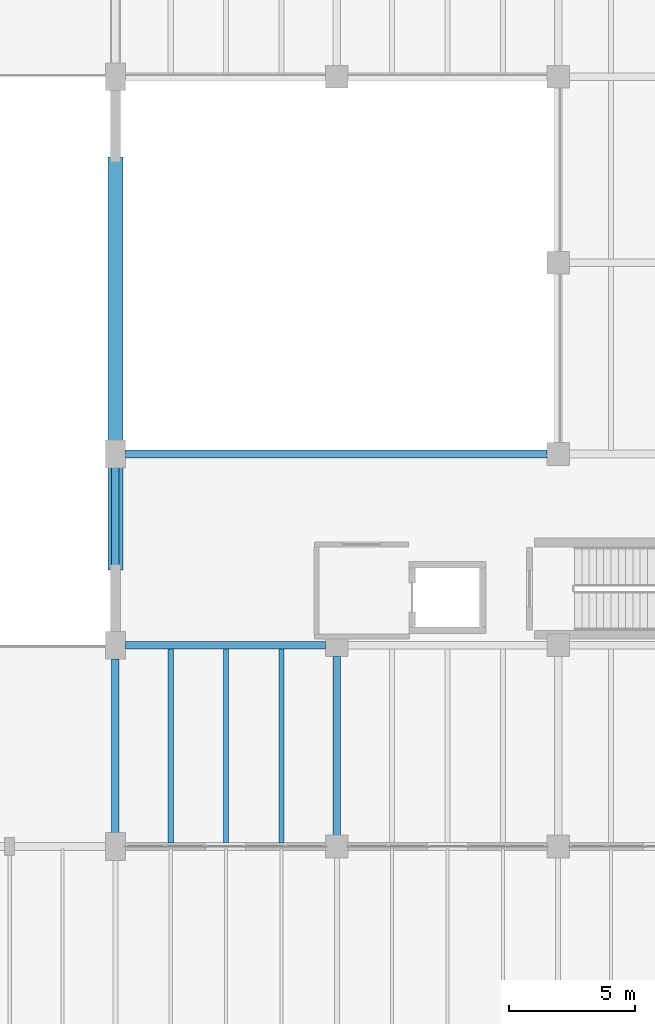
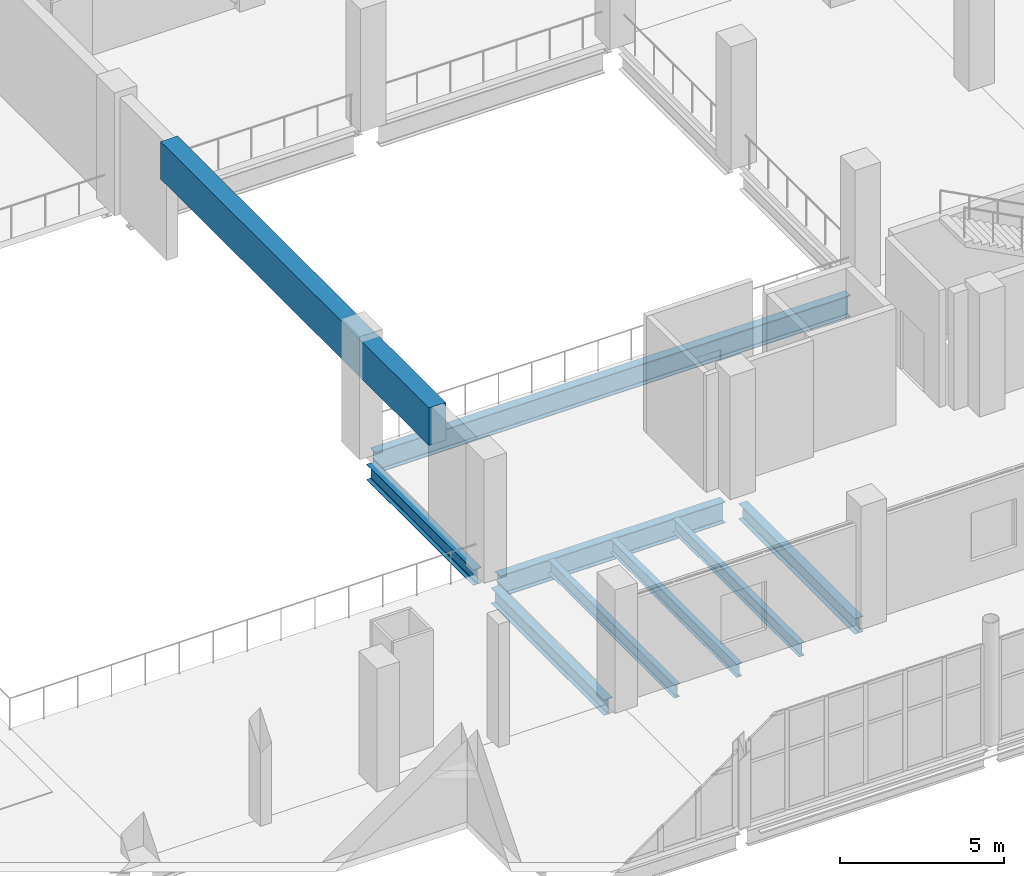
# One storey, part 84 of 172: 9 beams.
"""IFC4 building model written with IfcOpenShell, lengths in metres."""

from ifc_helpers import new_model, si_unit, direction, frame, origin, origin_2d, place, context, subcontext, project, spatial, rectangle, i_section, extrude, material, material_profile, profile_set, type_object, element, save


model = new_model("IFC4")

# Units and contexts
model_context = context("Model", 3, precision=1e-05, world=origin(), true_north=direction((0.0, 1.0)))
body_context = subcontext(model_context, "Body", "Model", "MODEL_VIEW")
ifc_project = project(units=[si_unit("LENGTHUNIT", "METRE"), si_unit("AREAUNIT", "SQUARE_METRE"), si_unit("VOLUMEUNIT", "CUBIC_METRE"), si_unit("PLANEANGLEUNIT", "RADIAN"), si_unit("MASSUNIT", "GRAM", prefix="KILO")], contexts=[model_context])

# Site, building, storey
site_placement = place(None, origin())
site = spatial("IfcSite", under=ifc_project, at=site_placement, CompositionType="ELEMENT")
building_placement = place(site_placement, origin())
building = spatial("IfcBuilding", under=site, at=building_placement, Name="Shengluoqiao Park Theatre", CompositionType="ELEMENT")
storey_placement = place(building_placement, frame((0.0, 0.0, 5.39990234375)))
storey = spatial("IfcBuildingStorey", under=building, at=storey_placement, Name="L01", CompositionType="ELEMENT", Elevation=5.39990234375)

# Beams
ifc_material_1 = material(Name="Steel Q355", Category="steel")
ifc_material_profile_1 = material_profile(ifc_material_1, i_section(OverallWidth=0.300048828125, OverallDepth=0.58203125, WebThickness=0.011962890625, FlangeThickness=0.01708984375, FilletRadius=0.02392578125, at=origin_2d()), Name="HM 582x300x12x17")
ifc_profile_set_1 = profile_set([ifc_material_profile_1], Name="Steel Q355")
beam_type_1 = type_object("IfcBeamType", Name="STR-BM-G-HM582", PredefinedType="BEAM", material=ifc_profile_set_1)
beam_1_placement = place(storey_placement, frame((86.39990234375, 84.5439453125, -0.541015625), z_axis=(0.0, 1.0, 0.0), x_axis=(-1.0, 0.0, 0.0)))
element("IfcBeam", 1, at=beam_1_placement, inside=storey, type_object=beam_type_1, Name="L01 Transverse Girder 00330", PredefinedType="BEAM", context=body_context, shape_type="SweptSolid", body=[
    extrude(i_section(OverallWidth=0.300048828125, OverallDepth=0.58203125, WebThickness=0.011962890625, FlangeThickness=0.01708984375, FilletRadius=0.02392578125, at=origin_2d()), origin(), (0.0, 0.0, 1.0), 6.511962890625),
])
beam_2_placement = place(storey_placement, frame((95.199951171875, 76.444091796875, -0.531005859375), z_axis=(0.0, 1.0, 0.0), x_axis=(-1.0, 0.0, 0.0)))
element("IfcBeam", 2, at=beam_2_placement, inside=storey, type_object=beam_type_1, Name="L01 Transverse Girder 00331", PredefinedType="BEAM", context=body_context, shape_type="SweptSolid", body=[
    extrude(i_section(OverallWidth=0.300048828125, OverallDepth=0.58203125, WebThickness=0.011962890625, FlangeThickness=0.01708984375, FilletRadius=0.02392578125, at=origin_2d()), origin(), (0.0, 0.0, 1.0), 7.11181640625),
])
ifc_material_profile_2 = material_profile(ifc_material_1, i_section(OverallWidth=0.300048828125, OverallDepth=0.587890625, WebThickness=0.011962890625, FlangeThickness=0.02001953125, FilletRadius=0.02392578125, at=origin_2d()), Name="HM 588x300x12x20")
ifc_profile_set_2 = profile_set([ifc_material_profile_2], Name="Steel Q355")
beam_type_2 = type_object("IfcBeamType", Name="STR-BM-G-HM588", PredefinedType="BEAM", material=ifc_profile_set_2)
beam_3_placement = place(storey_placement, frame((86.39990234375, 76.5439453125, -0.5439453125), z_axis=(0.0, 1.0, 0.0), x_axis=(-1.0, 0.0, 0.0)))
element("IfcBeam", 3, at=beam_3_placement, inside=storey, type_object=beam_type_2, Name="L01 Transverse Girder 00318", PredefinedType="BEAM", context=body_context, shape_type="SweptSolid", body=[
    extrude(i_section(OverallWidth=0.300048828125, OverallDepth=0.587890625, WebThickness=0.011962890625, FlangeThickness=0.02001953125, FilletRadius=0.02392578125, at=origin_2d()), origin(), (0.0, 0.0, 1.0), 6.912109375),
])
ifc_material_2 = material(Name="Steel Q390", Category="steel")
ifc_material_profile_3 = material_profile(ifc_material_2, i_section(OverallWidth=0.300048828125, OverallDepth=0.800048828125, WebThickness=0.013916015625, FlangeThickness=0.02587890625, FilletRadius=0.02587890625, at=origin_2d()), Name="HN 800x300x14x26")
ifc_profile_set_3 = profile_set([ifc_material_profile_3], Name="Steel Q390")
beam_type_3 = type_object("IfcBeamType", Name="STR-BM-G-HN800", PredefinedType="BEAM", material=ifc_profile_set_3)
beam_4_placement = place(storey_placement, frame((86.7939453125, 84.0, -0.64990234375), z_axis=(1.0, 0.0, 0.0), x_axis=(0.0, 1.0, 0.0)))
element("IfcBeam", 4, at=beam_4_placement, inside=storey, type_object=beam_type_3, Name="L01 Primary Girder 00325", PredefinedType="BEAM", context=body_context, shape_type="SweptSolid", body=[
    extrude(i_section(OverallWidth=0.300048828125, OverallDepth=0.800048828125, WebThickness=0.013916015625, FlangeThickness=0.02587890625, FilletRadius=0.02587890625, at=origin_2d()), origin(), (0.0, 0.0, 1.0), 7.962158203125),
])
beam_5_placement = place(storey_placement, frame((86.7939453125, 91.60009765625, -0.639892578125), z_axis=(1.0, 0.0, 0.0), x_axis=(0.0, 1.0, 0.0)))
element("IfcBeam", 5, at=beam_5_placement, inside=storey, type_object=beam_type_3, Name="L01 Primary Girder 00328", PredefinedType="BEAM", context=body_context, shape_type="SweptSolid", body=[
    extrude(i_section(OverallWidth=0.300048828125, OverallDepth=0.800048828125, WebThickness=0.013916015625, FlangeThickness=0.02587890625, FilletRadius=0.02587890625, at=origin_2d()), origin(), (0.0, 0.0, 1.0), 16.761962890625),
])
ifc_material_profile_4 = material_profile(ifc_material_1, i_section(OverallWidth=0.199951171875, OverallDepth=0.5, WebThickness=0.010009765625, FlangeThickness=0.01611328125, FilletRadius=0.01806640625, at=origin_2d()), Name="HN 500x200x10x16")
ifc_profile_set_4 = profile_set([ifc_material_profile_4], Name="Steel Q355")
beam_type_4 = type_object("IfcBeamType", Name="STR-BM-J-HN500", PredefinedType="JOIST", material=ifc_profile_set_4)
for number, where, z_axis, x_axis, name in (
    (6, (88.60009765625, 76.14501953125, -0.489990234375), (0.0, 1.0, 0.0), (-1.0, 0.0, 0.0), "L01 Composite Joist 00335"),
    (7, (90.800048828125, 76.14501953125, -0.489990234375), (0.0, 1.0, 0.0), (-1.0, 0.0, 0.0), "L01 Composite Joist 00336"),
    (8, (93.0, 76.14501953125, -0.489990234375), (0.0, 1.0, 0.0), (-1.0, 0.0, 0.0), "L01 Composite Joist 00337"),
):
    element("IfcBeam", number, at=place(storey_placement, frame(where, z_axis=z_axis, x_axis=x_axis)), inside=storey, type_object=beam_type_4, Name=name, PredefinedType="JOIST", context=body_context, shape_type="SweptSolid", body=[
        extrude(i_section(OverallWidth=0.199951171875, OverallDepth=0.5, WebThickness=0.010009765625, FlangeThickness=0.01611328125, FilletRadius=0.01806640625, at=origin_2d()), origin(), (0.0, 0.0, 1.0), 7.7099609375),
    ])
ifc_material_3 = material(Name="Concrete C50", Category="concrete")
ifc_material_profile_5 = material_profile(ifc_material_3, rectangle(XDim=0.60009765625, YDim=1.39990234375, at=origin_2d()), Name="RC BEAM 600x1400")
ifc_profile_set_5 = profile_set([ifc_material_profile_5], Name="Concrete C50")
beam_type_5 = type_object("IfcBeamType", Name="STR-BM-TG-1800", PredefinedType="BEAM", material=ifc_profile_set_5)
beam_6_placement = place(storey_placement, frame((86.39990234375, 87.0, 3.66015625), z_axis=(0.0, 1.0, 0.0), x_axis=(-1.0, 0.0, 0.0)))
element("IfcBeam", 9, at=beam_6_placement, inside=storey, type_object=beam_type_5, Name="Transfer Girder TG-1800-01", PredefinedType="BEAM", context=body_context, shape_type="SweptSolid", body=[
    extrude(rectangle(XDim=0.60009765625, YDim=1.39990234375, at=origin_2d()), origin(), (0.0, 0.0, 1.0), 16.39990234375),
])

save(model, "model.ifc")
